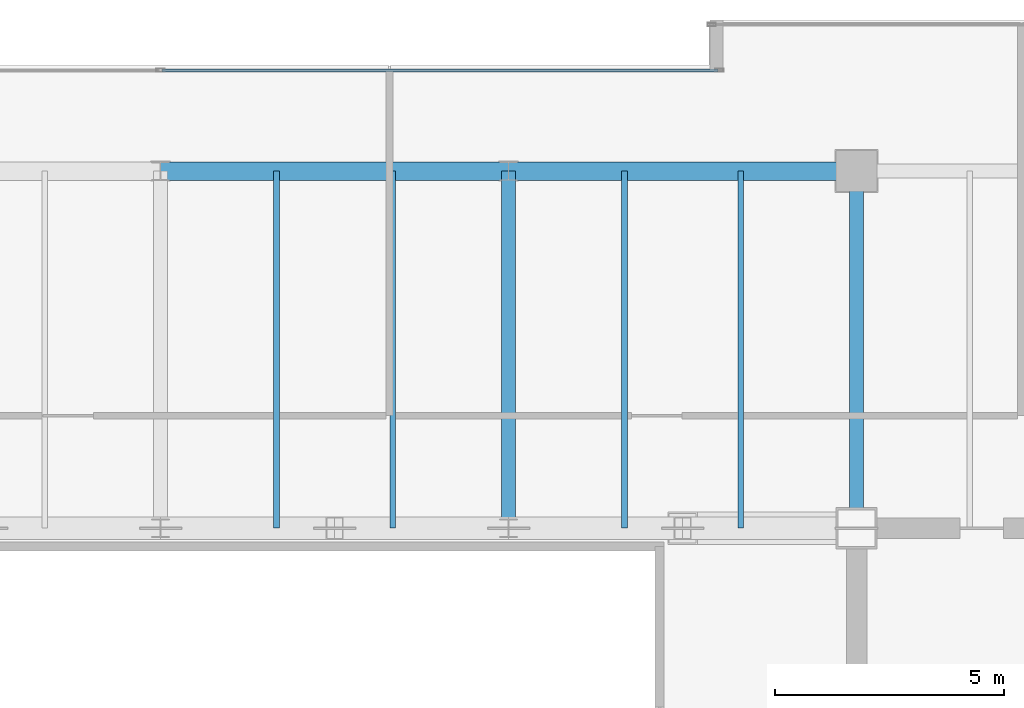
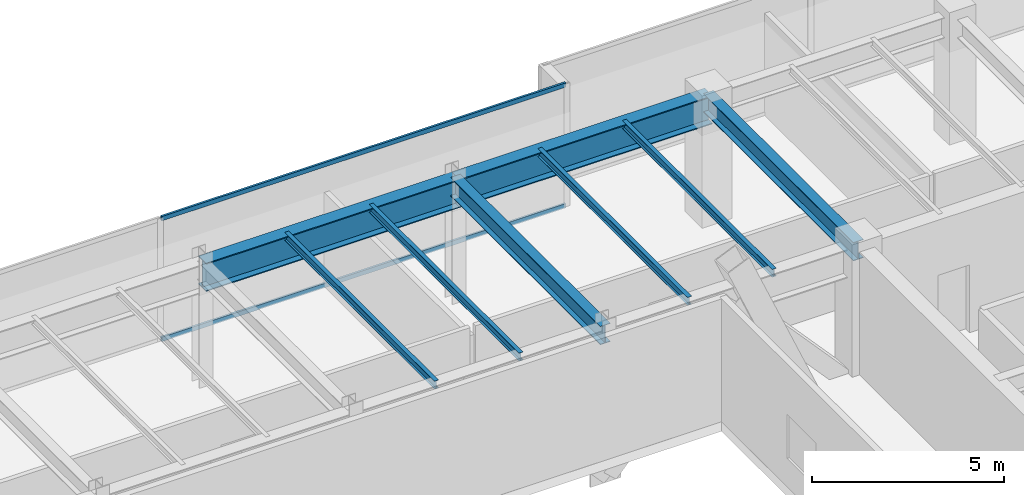
# One storey, part 22 of 32: 8 beams, 2 members, 1 element without a shape of its own.
"""IFC4 building model written with IfcOpenShell, lengths in metres."""

from ifc_helpers import new_model, si_unit, direction, frame, origin, origin_2d, place, context, subcontext, project, spatial, hollow_rectangle, i_section, extrude, source, transform, mapped, material, layer, layer_set, material_profile, profile_set, type_object, type_shapes, element, aggregate, save


model = new_model("IFC4")

# Units and contexts
model_context = context("Model", 3, precision=1e-05, world=origin(), true_north=direction((0.0, 1.0)))
body_context = subcontext(model_context, "Body", "Model", "MODEL_VIEW")
ifc_project = project(units=[si_unit("LENGTHUNIT", "METRE"), si_unit("AREAUNIT", "SQUARE_METRE"), si_unit("VOLUMEUNIT", "CUBIC_METRE"), si_unit("PLANEANGLEUNIT", "RADIAN"), si_unit("MASSUNIT", "GRAM", prefix="KILO")], contexts=[model_context])

# Site, building, storey
site_placement = place(None, origin())
site = spatial("IfcSite", under=ifc_project, at=site_placement, CompositionType="ELEMENT")
building_placement = place(site_placement, origin())
building = spatial("IfcBuilding", under=site, at=building_placement, Name="Haelvirn Gate Laboratories", CompositionType="ELEMENT")
storey_placement = place(building_placement, frame((0.0, 0.0, 301.800048828125)))
storey = spatial("IfcBuildingStorey", under=building, at=storey_placement, Name="L72", CompositionType="ELEMENT", Elevation=301.800048828125)

# Beams
ifc_material_1 = material(Name="Steel SM420", Category="steel")
ifc_material_profile_1 = material_profile(ifc_material_1, i_section(OverallWidth=0.39990234375, OverallDepth=0.89990234375, WebThickness=0.01904296875, FlangeThickness=0.031982421875, at=origin_2d()), Name="H-900x400x19x32")
ifc_profile_set_1 = profile_set([ifc_material_profile_1], Name="Steel SM420")
beam_type_1 = type_object("IfcBeamType", Name="BM-TG-900", PredefinedType="BEAM", material=ifc_profile_set_1)
shared_shape_1 = source(origin(), body_context, "Body", "SweptSolid", [
    extrude(i_section(OverallWidth=0.39990234375, OverallDepth=0.89990234375, WebThickness=0.01904296875, FlangeThickness=0.031982421875, at=origin_2d()), origin(), (0.0, 0.0, 1.0), 7.60009765625),
])
type_shapes(beam_type_1, [shared_shape_1])
for number, where, z_axis, x_axis, name in (
    (1, (37.39990234375, 41.60009765625, 3.449951171875), (1.0, 0.0, 0.0), (0.0, 1.0, 0.0), "L72 Primary Girder Y41.6 (37.4-45.0)"),
    (2, (45.0, 41.60009765625, 3.449951171875), (1.0, 0.0, 0.0), (0.0, 1.0, 0.0), "L72 Primary Girder Y41.6 (45.0-52.6)"),
):
    element("IfcBeam", number, at=place(storey_placement, frame(where, z_axis=z_axis, x_axis=x_axis)), inside=storey, type_object=beam_type_1, Name=name, PredefinedType="BEAM", context=body_context, shape_type="MappedRepresentation", body=[
        mapped(shared_shape_1, transform((0.0, 0.0, 0.0), scale=1.0)),
    ])
ifc_material_2 = material(Name="Steel SM355", Category="steel")
ifc_material_profile_2 = material_profile(ifc_material_2, i_section(OverallWidth=0.300048828125, OverallDepth=0.587890625, WebThickness=0.011962890625, FlangeThickness=0.02001953125, at=origin_2d()), Name="H-588x300x12x20")
ifc_profile_set_2 = profile_set([ifc_material_profile_2], Name="Steel SM355")
beam_type_2 = type_object("IfcBeamType", Name="BM-G-588", PredefinedType="BEAM", material=ifc_profile_set_2)
shared_shape_2 = source(origin(), body_context, "Body", "SweptSolid", [
    extrude(i_section(OverallWidth=0.300048828125, OverallDepth=0.587890625, WebThickness=0.011962890625, FlangeThickness=0.02001953125, at=origin_2d()), origin(), (0.0, 0.0, 1.0), 7.800048828125),
])
type_shapes(beam_type_2, [shared_shape_2])
for number, where, z_axis, x_axis, name in (
    (3, (45.0, 33.800048828125, 3.60595703125), (0.0, 1.0, 0.0), (-1.0, 0.0, 0.0), "L72 Frame Girder X45.0 (33.8-41.6)"),
    (4, (52.60009765625, 33.800048828125, 3.60595703125), (0.0, 1.0, 0.0), (-1.0, 0.0, 0.0), "L72 Frame Girder X52.6 (33.8-41.6)"),
):
    element("IfcBeam", number, at=place(storey_placement, frame(where, z_axis=z_axis, x_axis=x_axis)), inside=storey, type_object=beam_type_2, Name=name, PredefinedType="BEAM", context=body_context, shape_type="MappedRepresentation", body=[
        mapped(shared_shape_2, transform((0.0, 0.0, 0.0), scale=1.0)),
    ])
ifc_material_profile_3 = material_profile(ifc_material_2, i_section(OverallWidth=0.125, OverallDepth=0.25, WebThickness=0.006103515625, FlangeThickness=0.009033203125, at=origin_2d()), Name="H-250x125x6x9")
ifc_profile_set_3 = profile_set([ifc_material_profile_3], Name="Steel SM355")
beam_type_3 = type_object("IfcBeamType", Name="BM-J-250", PredefinedType="JOIST", material=ifc_profile_set_3)
shared_shape_3 = source(origin(), body_context, "Body", "SweptSolid", [
    extrude(i_section(OverallWidth=0.125, OverallDepth=0.25, WebThickness=0.006103515625, FlangeThickness=0.009033203125, at=origin_2d()), origin(), (0.0, 0.0, 1.0), 7.800048828125),
])
type_shapes(beam_type_3, [shared_shape_3])
for number, where, z_axis, x_axis, name in (
    (5, (39.929931640625, 33.800048828125, 3.77490234375), (0.0, 1.0, 0.0), (-1.0, 0.0, 0.0), "L72 Composite Lab Joist North X39.93"),
    (6, (42.469970703125, 33.800048828125, 3.77490234375), (0.0, 1.0, 0.0), (-1.0, 0.0, 0.0), "L72 Composite Lab Joist North X42.47"),
    (7, (47.530029296875, 33.800048828125, 3.77490234375), (0.0, 1.0, 0.0), (-1.0, 0.0, 0.0), "L72 Composite Lab Joist North X47.53"),
    (8, (50.070068359375, 33.800048828125, 3.77490234375), (0.0, 1.0, 0.0), (-1.0, 0.0, 0.0), "L72 Composite Lab Joist North X50.07"),
):
    element("IfcBeam", number, at=place(storey_placement, frame(where, z_axis=z_axis, x_axis=x_axis)), inside=storey, type_object=beam_type_3, Name=name, PredefinedType="JOIST", context=body_context, shape_type="MappedRepresentation", body=[
        mapped(shared_shape_3, transform((0.0, 0.0, 0.0), scale=1.0)),
    ])

# Curtain wall, members
ifc_material_3 = material(Name="Anodised bronze unitised aluminium & triple low-E glass", Category="aluminium")
ifc_layer = layer(ifc_material_3, 0.176025390625, Name="CW-SYS-4")
ifc_layer_set = layer_set([ifc_layer], Name="Anodised bronze unitised aluminium & triple low-E glass")
curtain_wall_type = type_object("IfcCurtainWallType", Name="CW-SYS-4", PredefinedType="NOTDEFINED", material=ifc_layer_set)
curtain_wall_placement = place(storey_placement, origin())
curtain_wall = element("IfcCurtainWall", 9, at=curtain_wall_placement, inside=storey, type_object=curtain_wall_type, Name="L72 Unitised Curtain Wall CW-L72-P0-E12-1", PredefinedType="NOTDEFINED")
ifc_material_4 = material(Name="Extruded aluminium 6063-T6 (anodised bronze)", Category="aluminium")
ifc_material_profile_4 = material_profile(ifc_material_4, hollow_rectangle(XDim=0.06494140625, YDim=0.139892578125, WallThickness=0.00390625, at=origin_2d()), Name="CWT-140x65x4")
ifc_profile_set_4 = profile_set([ifc_material_profile_4], Name="Extruded aluminium 6063-T6 (anodised bronze)")
member_type = type_object("IfcMemberType", Name="CWT-T140", PredefinedType="USERDEFINED", material=ifc_profile_set_4)
shared_shape_4 = source(origin(), body_context, "Body", "SweptSolid", [
    extrude(hollow_rectangle(XDim=0.06494140625, YDim=0.139892578125, WallThickness=0.00390625, at=origin_2d()), origin(), (0.0, 0.0, 1.0), 12.135009765625),
])
type_shapes(member_type, [shared_shape_4])
member_1_placement = place(storey_placement, frame((37.43505859375, 43.800048828125, 0.032470703125), z_axis=(1.0, 0.0, 0.0), x_axis=(0.0, 1.0, 0.0)))
member_1 = element("IfcMember", 10, at=member_1_placement, type_object=member_type, Name="CW4 transom 2.1", ObjectType="TRANSOM", PredefinedType="USERDEFINED", context=body_context, shape_type="MappedRepresentation", body=[
    mapped(shared_shape_4, transform((0.0, 0.0, 0.0), scale=1.0)),
])
member_2_placement = place(storey_placement, frame((37.43505859375, 43.800048828125, 3.867431640625), z_axis=(1.0, 0.0, 0.0), x_axis=(0.0, 1.0, 0.0)))
member_2 = element("IfcMember", 11, at=member_2_placement, type_object=member_type, Name="CW4 transom 2.2", ObjectType="TRANSOM", PredefinedType="USERDEFINED", context=body_context, shape_type="MappedRepresentation", body=[
    mapped(shared_shape_4, transform((0.0, 0.0, 0.0), scale=1.0)),
])
aggregate(curtain_wall, [member_1, member_2])

save(model, "model.ifc")
